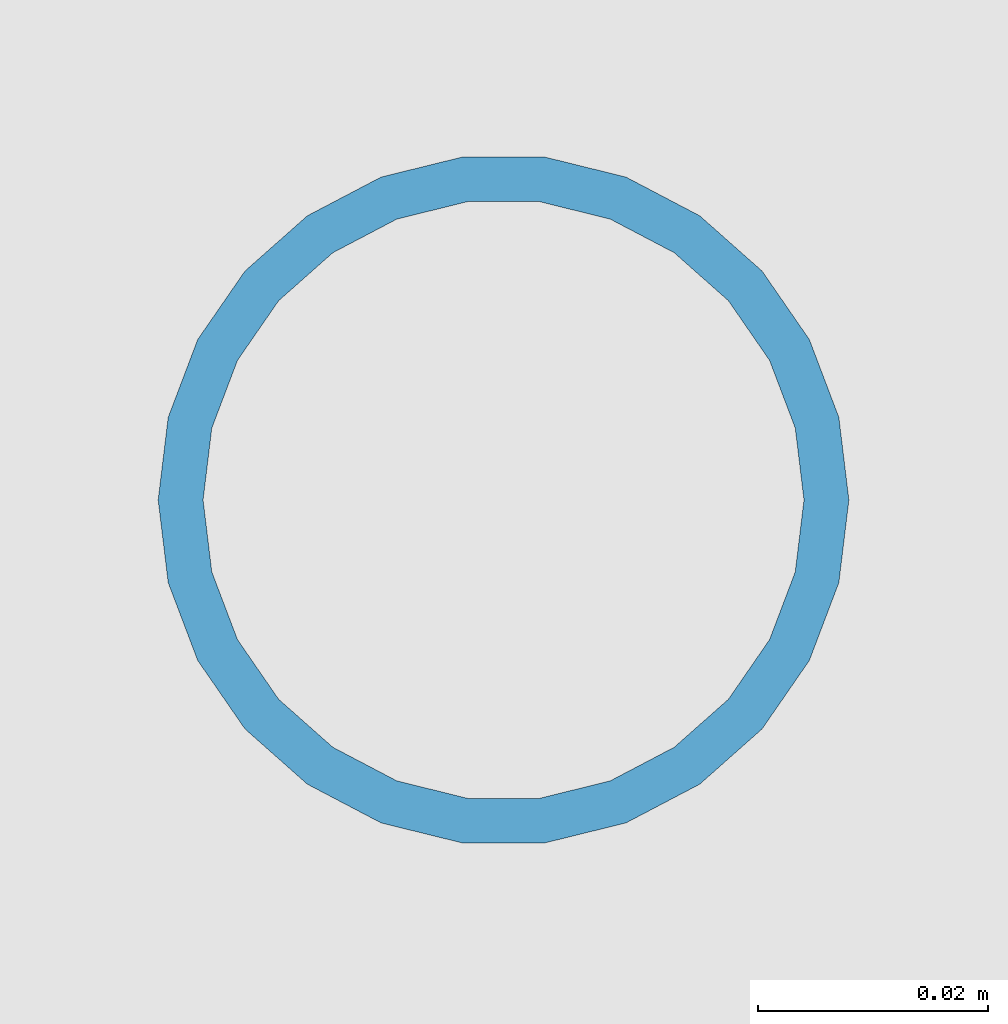
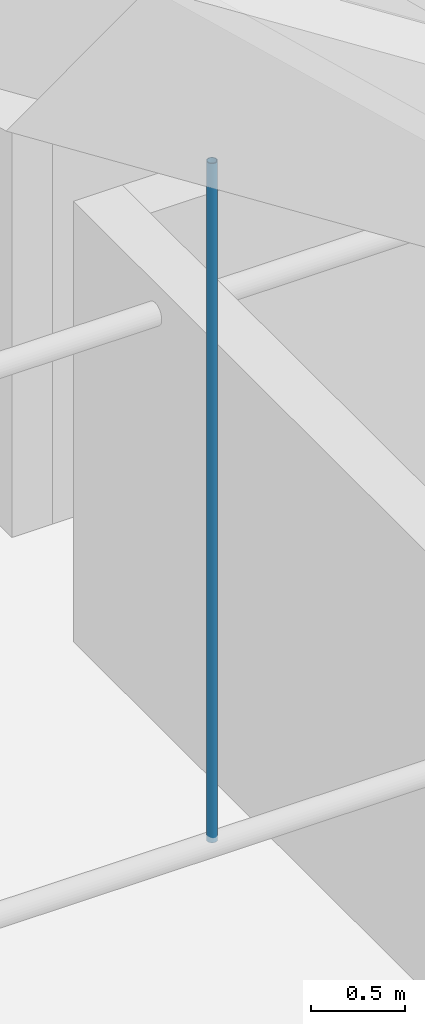
# One storey, part 35 of 94: 1 member.
"""IFC4 building model written with IfcOpenShell, lengths in metres."""

from ifc_helpers import new_model, si_unit, direction, frame, origin, origin_2d, place, context, subcontext, project, spatial, hollow_circle, extrude, material, material_profile, profile_set, type_object, element, save


model = new_model("IFC4")

# Units and contexts
model_context = context("Model", 3, precision=1e-05, world=origin(), true_north=direction((0.0, 1.0)))
body_context = subcontext(model_context, "Body", "Model", "MODEL_VIEW")
ifc_project = project(units=[si_unit("LENGTHUNIT", "METRE"), si_unit("AREAUNIT", "SQUARE_METRE"), si_unit("VOLUMEUNIT", "CUBIC_METRE"), si_unit("PLANEANGLEUNIT", "RADIAN"), si_unit("MASSUNIT", "GRAM", prefix="KILO")], contexts=[model_context])

# Site, building, storey
site_placement = place(None, origin())
site = spatial("IfcSite", under=ifc_project, at=site_placement, CompositionType="ELEMENT")
building_placement = place(site_placement, origin())
building = spatial("IfcBuilding", under=site, at=building_placement, Name="Lunette Opera House", CompositionType="ELEMENT")
storey_placement = place(building_placement, frame((0.0, 0.0, 22.5)))
storey = spatial("IfcBuildingStorey", under=building, at=storey_placement, Name="L04", CompositionType="ELEMENT", Elevation=22.5)

# Member
ifc_material = material(Name="Steel S355", Category="steel")
ifc_material_profile = material_profile(ifc_material, hollow_circle(Radius=0.030029296875, WallThickness=0.00390625, at=origin_2d()), Name="CHS 60.3X4")
ifc_profile_set = profile_set([ifc_material_profile], Name="Steel S355")
member_type = type_object("IfcMemberType", Name="CHS 60.3X4", PredefinedType="POST", material=ifc_profile_set)
member_placement = place(storey_placement, frame((109.0, 68.714111328125, 2.72998046875), z_axis=(0.0, 0.0, 1.0), x_axis=(1.0, 0.0, 0.0)))
element("IfcMember", 1, at=member_placement, inside=storey, type_object=member_type, Name="mem-AU-L04-HG2-109", PredefinedType="POST", context=body_context, shape_type="SweptSolid", body=[
    extrude(hollow_circle(Radius=0.030029296875, WallThickness=0.00390625, at=origin_2d()), origin(), (0.0, 0.0, 1.0), 4.4111328125),
])

save(model, "model.ifc")
